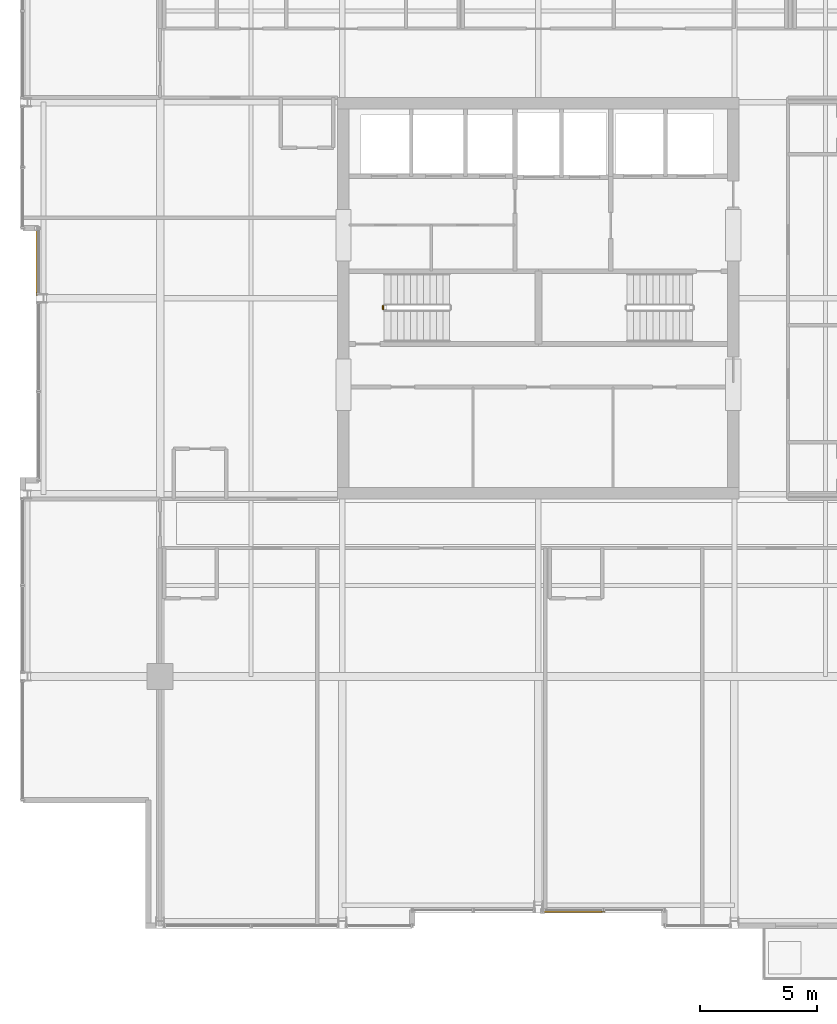
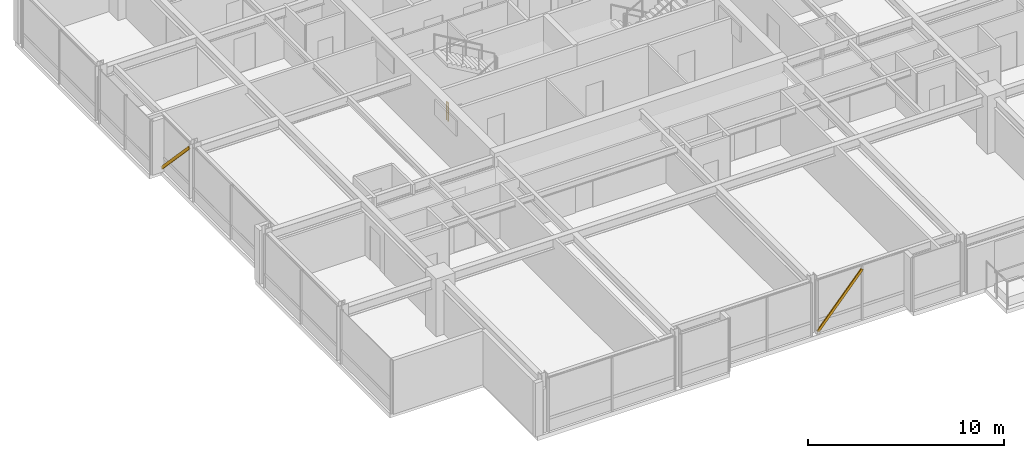
# One storey, part 30 of 32: 2 shading devices, 1 railing.
"""IFC4 building model written with IfcOpenShell, lengths in metres."""

from ifc_helpers import new_model, si_unit, direction, frame, origin, origin_2d, place, context, subcontext, project, spatial, hollow_rectangle, circle, extrude, material, material_profile, profile_set, type_object, element, save


model = new_model("IFC4")

# Units and contexts
model_context = context("Model", 3, precision=1e-05, world=origin(), true_north=direction((0.0, 1.0)))
body_context = subcontext(model_context, "Body", "Model", "MODEL_VIEW")
ifc_project = project(units=[si_unit("LENGTHUNIT", "METRE"), si_unit("AREAUNIT", "SQUARE_METRE"), si_unit("VOLUMEUNIT", "CUBIC_METRE"), si_unit("PLANEANGLEUNIT", "RADIAN"), si_unit("MASSUNIT", "GRAM", prefix="KILO")], contexts=[model_context])

# Site, building, storey
site_placement = place(None, origin())
site = spatial("IfcSite", under=ifc_project, at=site_placement, CompositionType="ELEMENT")
building_placement = place(site_placement, origin())
building = spatial("IfcBuilding", under=site, at=building_placement, Name="Drelvath Grand Hotel", CompositionType="ELEMENT")
storey_placement = place(building_placement, frame((0.0, 0.0, 241.10009765625)))
storey = spatial("IfcBuildingStorey", under=building, at=storey_placement, Name="L63", CompositionType="ELEMENT", Elevation=241.10009765625)

# Railing
ifc_material_1 = material(Name="Painted Steel S275", Category="steel")
railing_type = type_object("IfcRailingType", Name="Core Stair Well Guardrail 1100", PredefinedType="GUARDRAIL", material=ifc_material_1)
railing_placement = place(storey_placement, frame((-6.64990234375, 26.52001953125, 0.0)))
element("IfcRailing", 1, at=railing_placement, inside=storey, type_object=railing_type, Name="L63 ST-1 stair guard 4", PredefinedType="GUARDRAIL", context=body_context, shape_type="SweptSolid", body=[
    extrude(circle(Radius=0.02392578125, at=origin_2d()), frame((0.0, 0.0, 1.1259765625), z_axis=(0.0, 1.0, 0.0), x_axis=(-1.0, 0.0, 0.0)), (0.0, 0.0, 1.0), 0.159912109375),
    extrude(circle(Radius=0.02099609375, at=origin_2d()), origin(), (0.0, 0.0, 1.0), 1.101806640625),
    extrude(circle(Radius=0.02099609375, at=origin_2d()), frame((0.0, 0.159912109375, 0.0)), (0.0, 0.0, 1.0), 1.101806640625),
])

# Shading devices
ifc_material_2 = material(Name="Platinum-Mist Anodised Aluminium", Category="aluminium")
ifc_material_profile = material_profile(ifc_material_2, hollow_rectangle(XDim=0.06494140625, YDim=0.159912109375, WallThickness=0.00390625, at=origin_2d()), Name="HSS160X65X4")
ifc_profile_set = profile_set([ifc_material_profile], Name="Platinum-Mist Anodised Aluminium")
shading_device_type = type_object("IfcShadingDeviceType", Name="Diagonal Solar Fin Platinum Anodised HSS160X65X4", PredefinedType="USERDEFINED", material=ifc_profile_set)
shading_device_1_placement = place(storey_placement, frame((-21.47998046875, 30.0, 0.179931640625), z_axis=(0.0, -0.687569722658, 0.726118362586), x_axis=(1.0, 0.0, 0.0)))
element("IfcShadingDevice", 2, at=shading_device_1_placement, inside=storey, type_object=shading_device_type, Name="L63 Diagonal Anodised Fin CW05-L63-WM2", ObjectType="FIN", PredefinedType="USERDEFINED", context=body_context, shape_type="SweptSolid", body=[
    extrude(hollow_rectangle(XDim=0.06494140625, YDim=0.159912109375, WallThickness=0.00390625, at=origin_2d()), origin(), (0.0, 0.0, 1.0), 4.10400390625),
])
shading_device_2_placement = place(storey_placement, frame((0.17822265625, 0.719970703125, 0.179931640625), z_axis=(0.658984361182, 0.0, 0.752156640414), x_axis=(0.0, 1.0, 0.0)))
element("IfcShadingDevice", 3, at=shading_device_2_placement, inside=storey, type_object=shading_device_type, Name="L63 Diagonal Anodised Fin CW05-L63-SM2", ObjectType="FIN", PredefinedType="USERDEFINED", context=body_context, shape_type="SweptSolid", body=[
    extrude(hollow_rectangle(XDim=0.06494140625, YDim=0.159912109375, WallThickness=0.00390625, at=origin_2d()), origin(), (0.0, 0.0, 1.0), 3.9619140625),
])

save(model, "model.ifc")
